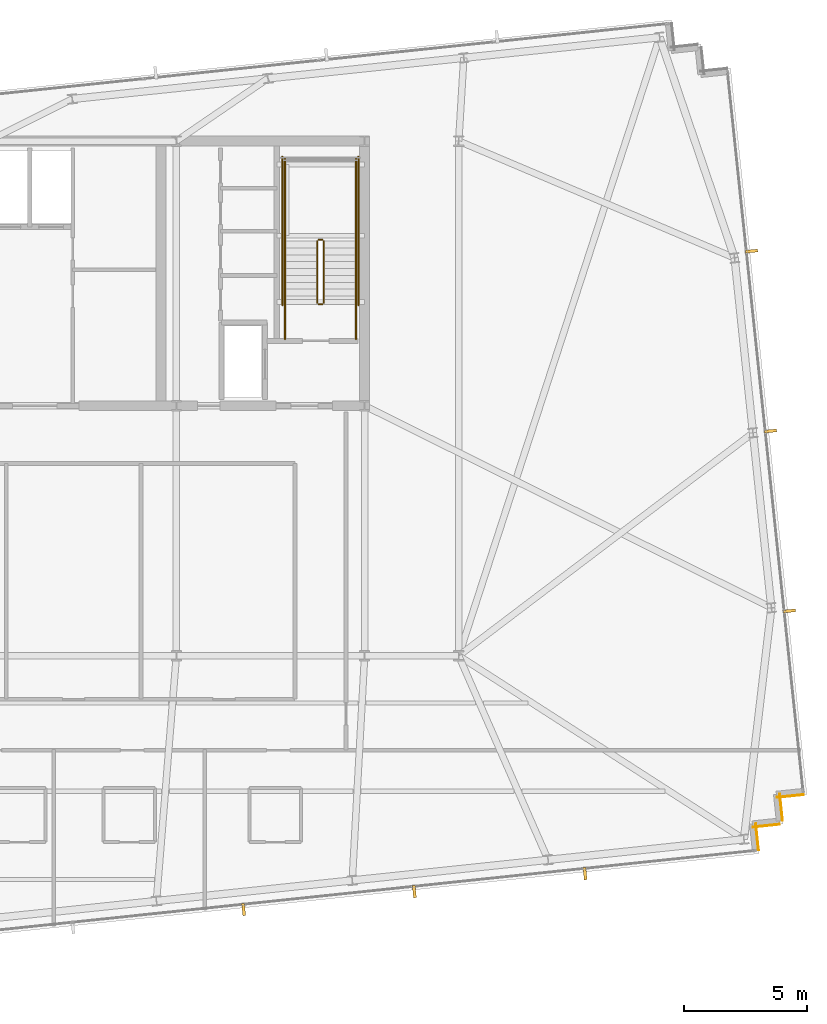
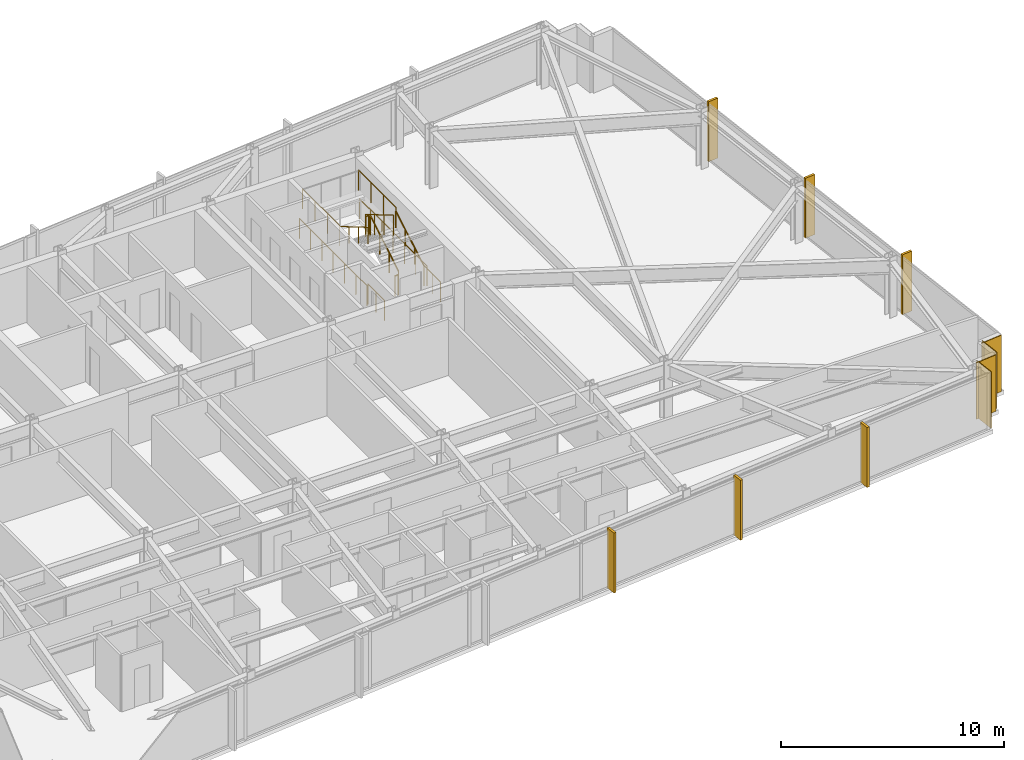
# One storey, part 32 of 33: 12 railings, 6 shading devices, 4 coverings.
"""IFC4 building model written with IfcOpenShell, lengths in metres."""

from ifc_helpers import new_model, si_unit, direction, frame, frame_2d, origin, origin_2d, place, context, subcontext, project, spatial, rectangle, circle, extrude, material, layer, layer_set, type_object, element, save


model = new_model("IFC4")

# Units and contexts
model_context = context("Model", 3, precision=1e-05, world=origin(), true_north=direction((0.0, 1.0)))
body_context = subcontext(model_context, "Body", "Model", "MODEL_VIEW")
ifc_project = project(units=[si_unit("LENGTHUNIT", "METRE"), si_unit("AREAUNIT", "SQUARE_METRE"), si_unit("VOLUMEUNIT", "CUBIC_METRE"), si_unit("PLANEANGLEUNIT", "RADIAN"), si_unit("MASSUNIT", "GRAM", prefix="KILO")], contexts=[model_context])

# Site, building, storey
site_placement = place(None, origin())
site = spatial("IfcSite", under=ifc_project, at=site_placement, CompositionType="ELEMENT")
building_placement = place(site_placement, origin())
building = spatial("IfcBuilding", under=site, at=building_placement, Name="Yelkora Congress Tower", CompositionType="ELEMENT")
storey_placement = place(building_placement, frame((0.0, 0.0, 234.199951171875)))
storey = spatial("IfcBuildingStorey", under=building, at=storey_placement, Name="L65", CompositionType="ELEMENT", Elevation=234.199951171875)

# Coverings
ifc_material_1 = material(Name="Anatolian bush-hammered limestone", Category="masonry")
ifc_layer_1 = layer(ifc_material_1, 0.0400390625)
ifc_layer_set_1 = layer_set([ifc_layer_1], Name="Anatolian bush-hammered limestone")
covering_type = type_object("IfcCoveringType", Name="COV-CLAD-SPANDREL-40", PredefinedType="CLADDING", material=ifc_layer_set_1)
for number, where, z_axis, x_axis, name in (
    (1, (71.668212890625, 19.535888671875, 0.0), (0.0, 0.0, 1.0), (-0.994544300928, -0.104315068386, 0.0), "L65 Anatolian Limestone Cladding EW-L65-SR16"),
    (2, (70.6943359375, 19.569580078125, 0.0), (0.0, 0.0, 1.0), (0.104534592565, -0.994521251134, 0.0), "L65 Anatolian Limestone Cladding EW-L65-SR17"),
    (3, (70.689208984375, 18.3271484375, 0.0), (0.0, 0.0, 1.0), (-0.994521251134, -0.104534592565, 0.0), "L65 Anatolian Limestone Cladding EW-L65-SR18"),
    (4, (69.71533203125, 18.360595703125, 0.0), (0.0, 0.0, 1.0), (0.104534592565, -0.994521251134, 0.0), "L65 Anatolian Limestone Cladding EW-L65-SR19"),
):
    element("IfcCovering", number, at=place(storey_placement, frame(where, z_axis=z_axis, x_axis=x_axis)), inside=storey, type_object=covering_type, Name=name, PredefinedType="CLADDING", context=body_context, shape_type="SweptSolid", body=[
        extrude(rectangle(XDim=1.10009765625, YDim=0.0400390625, at=frame_2d((0.550048828125, 0.0))), origin(), (0.0, 0.0, 1.0), 3.080078125),
    ])

# Railings
ifc_material_2 = material(Name="Painted galvanised steel stair well guard with vertical infill", Category="steel")
ifc_layer_2 = layer(ifc_material_2, 0.06005859375)
ifc_layer_set_2 = layer_set([ifc_layer_2], Name="Painted galvanised steel stair well guard with vertical infill")
railing_type_1 = type_object("IfcRailingType", Name="RAIL-STAIR-GUARD-1120", PredefinedType="GUARDRAIL", material=ifc_layer_set_2)
railing_1_placement = place(storey_placement, frame((52.090087890625, 39.60009765625, 0.1650390625)))
element("IfcRailing", 5, at=railing_1_placement, inside=storey, type_object=railing_type_1, Name="ST-02 L65 Stair Well Guardrail 1", PredefinedType="GUARDRAIL", context=body_context, shape_type="SweptSolid", body=[
    extrude(circle(Radius=0.02392578125, at=origin_2d()), frame((0.0, 0.0, 1.09619140625), z_axis=(0.0, 0.86152411907, 0.507716645641), x_axis=(-1.0, 0.0, 0.0)), (0.0, 0.0, 1.0), 2.925048828125),
    extrude(circle(Radius=0.02099609375, at=origin_2d()), origin(), (0.0, 0.0, 1.0), 1.072021484375),
    extrude(circle(Radius=0.02099609375, at=origin_2d()), frame((0.0, 0.840087890625, 0.4951171875)), (0.0, 0.0, 1.0), 1.072021484375),
    extrude(circle(Radius=0.02099609375, at=origin_2d()), frame((0.0, 1.679931640625, 0.989990234375)), (0.0, 0.0, 1.0), 1.072021484375),
    extrude(circle(Radius=0.02099609375, at=origin_2d()), frame((0.0, 2.52001953125, 1.485107421875)), (0.0, 0.0, 1.0), 1.072021484375),
])
railing_2_placement = place(storey_placement, frame((52.0400390625, 42.169921875, 1.650146484375)))
element("IfcRailing", 6, at=railing_2_placement, inside=storey, type_object=railing_type_1, Name="ST-02 L65 Stair Well Guardrail 2", PredefinedType="GUARDRAIL", context=body_context, shape_type="SweptSolid", body=[
    extrude(circle(Radius=0.02392578125, at=origin_2d()), frame((0.0, 0.0, 1.09619140625), z_axis=(-1.0, 0.0, 0.0), x_axis=(0.0, -1.0, 0.0)), (0.0, 0.0, 1.0), 0.16015625),
    extrude(circle(Radius=0.02099609375, at=origin_2d()), origin(), (0.0, 0.0, 1.0), 1.072021484375),
    extrude(circle(Radius=0.02099609375, at=origin_2d()), frame((-0.16015625, 0.0, 0.0)), (0.0, 0.0, 1.0), 1.072021484375),
])
for number, where, name in (
    (7, (53.409912109375, 42.1201171875, 1.650146484375), "ST-02 L65 Stair Well Guardrail 3"),
    (8, (50.510009765625, 42.1201171875, 1.650146484375), "ST-02 L65 Stair Well Guardrail 4"),
):
    element("IfcRailing", number, at=place(storey_placement, frame(where)), inside=storey, type_object=railing_type_1, Name=name, PredefinedType="GUARDRAIL", context=body_context, shape_type="SweptSolid", body=[
        extrude(circle(Radius=0.02392578125, at=origin_2d()), frame((0.0, 0.0, 1.09619140625), z_axis=(0.0, 1.0, 0.0), x_axis=(-1.0, 0.0, 0.0)), (0.0, 0.0, 1.0), 3.349853515625),
        extrude(circle(Radius=0.02099609375, at=origin_2d()), origin(), (0.0, 0.0, 1.0), 1.072021484375),
        extrude(circle(Radius=0.02099609375, at=origin_2d()), frame((0.0, 1.11669921875, 0.0)), (0.0, 0.0, 1.0), 1.072021484375),
        extrude(circle(Radius=0.02099609375, at=origin_2d()), frame((0.0, 2.233154296875, 0.0)), (0.0, 0.0, 1.0), 1.072021484375),
        extrude(circle(Radius=0.02099609375, at=origin_2d()), frame((0.0, 3.349853515625, 0.0)), (0.0, 0.0, 1.0), 1.072021484375),
    ])
railing_3_placement = place(storey_placement, frame((51.830078125, 42.1201171875, 1.81494140625)))
element("IfcRailing", 9, at=railing_3_placement, inside=storey, type_object=railing_type_1, Name="ST-02 L65 Stair Well Guardrail 6", PredefinedType="GUARDRAIL", context=body_context, shape_type="SweptSolid", body=[
    extrude(circle(Radius=0.02392578125, at=origin_2d()), frame((0.0, 0.0, 1.09619140625), z_axis=(0.0, -0.86152411907, 0.507716645641), x_axis=(1.0, 0.0, 0.0)), (0.0, 0.0, 1.0), 2.925048828125),
    extrude(circle(Radius=0.02099609375, at=origin_2d()), origin(), (0.0, 0.0, 1.0), 1.072021484375),
    extrude(circle(Radius=0.02099609375, at=origin_2d()), frame((0.0, -0.840087890625, 0.4951171875)), (0.0, 0.0, 1.0), 1.072021484375),
    extrude(circle(Radius=0.02099609375, at=origin_2d()), frame((0.0, -1.679931640625, 0.989990234375)), (0.0, 0.0, 1.0), 1.072021484375),
    extrude(circle(Radius=0.02099609375, at=origin_2d()), frame((0.0, -2.52001953125, 1.485107421875)), (0.0, 0.0, 1.0), 1.072021484375),
])
railing_4_placement = place(storey_placement, frame((52.0400390625, 39.550048828125, 0.0)))
element("IfcRailing", 10, at=railing_4_placement, inside=storey, type_object=railing_type_1, Name="ST-02 L65 Stair Well Guardrail 7", PredefinedType="GUARDRAIL", context=body_context, shape_type="SweptSolid", body=[
    extrude(circle(Radius=0.02392578125, at=origin_2d()), frame((0.0, 0.0, 1.09619140625), z_axis=(-1.0, 0.0, 0.0), x_axis=(0.0, -1.0, 0.0)), (0.0, 0.0, 1.0), 0.16015625),
    extrude(circle(Radius=0.02099609375, at=origin_2d()), origin(), (0.0, 0.0, 1.0), 1.072021484375),
    extrude(circle(Radius=0.02099609375, at=origin_2d()), frame((-0.16015625, 0.0, 0.0)), (0.0, 0.0, 1.0), 1.072021484375),
])
for number, where, name in (
    (11, (53.409912109375, 38.1201171875, 0.0), "ST-02 L65 Stair Well Guardrail 8"),
    (12, (50.510009765625, 38.1201171875, 0.0), "ST-02 L65 Stair Well Guardrail 9"),
):
    element("IfcRailing", number, at=place(storey_placement, frame(where)), inside=storey, type_object=railing_type_1, Name=name, PredefinedType="GUARDRAIL", context=body_context, shape_type="SweptSolid", body=[
        extrude(circle(Radius=0.02392578125, at=origin_2d()), frame((0.0, 0.0, 1.09619140625), z_axis=(0.0, 1.0, 0.0), x_axis=(-1.0, 0.0, 0.0)), (0.0, 0.0, 1.0), 1.47998046875),
        extrude(circle(Radius=0.02099609375, at=origin_2d()), origin(), (0.0, 0.0, 1.0), 1.072021484375),
        extrude(circle(Radius=0.02099609375, at=origin_2d()), frame((0.0, 0.739990234375, 0.0)), (0.0, 0.0, 1.0), 1.072021484375),
        extrude(circle(Radius=0.02099609375, at=origin_2d()), frame((0.0, 1.47998046875, 0.0)), (0.0, 0.0, 1.0), 1.072021484375),
    ])
for number, where, name in (
    (13, (53.510009765625, 39.5, 0.0), "ST-02 L65 Stair Well Guardrail 10"),
    (14, (50.409912109375, 39.5, 0.0), "ST-02 L65 Stair Well Guardrail 11"),
):
    element("IfcRailing", number, at=place(storey_placement, frame(where)), inside=storey, type_object=railing_type_1, Name=name, PredefinedType="GUARDRAIL", context=body_context, shape_type="SweptSolid", body=[
        extrude(circle(Radius=0.02392578125, at=origin_2d()), frame((0.0, 0.0, 1.09619140625), z_axis=(0.0, 1.0, 0.0), x_axis=(-1.0, 0.0, 0.0)), (0.0, 0.0, 1.0), 6.070068359375),
        extrude(circle(Radius=0.02099609375, at=origin_2d()), origin(), (0.0, 0.0, 1.0), 1.072021484375),
        extrude(circle(Radius=0.02099609375, at=origin_2d()), frame((0.0, 1.01171875, 0.0)), (0.0, 0.0, 1.0), 1.072021484375),
        extrude(circle(Radius=0.02099609375, at=origin_2d()), frame((0.0, 2.0234375, 0.0)), (0.0, 0.0, 1.0), 1.072021484375),
        extrude(circle(Radius=0.02099609375, at=origin_2d()), frame((0.0, 3.03515625, 0.0)), (0.0, 0.0, 1.0), 1.072021484375),
        extrude(circle(Radius=0.02099609375, at=origin_2d()), frame((0.0, 4.046630859375, 0.0)), (0.0, 0.0, 1.0), 1.072021484375),
        extrude(circle(Radius=0.02099609375, at=origin_2d()), frame((0.0, 5.058349609375, 0.0)), (0.0, 0.0, 1.0), 1.072021484375),
        extrude(circle(Radius=0.02099609375, at=origin_2d()), frame((0.0, 6.070068359375, 0.0)), (0.0, 0.0, 1.0), 1.072021484375),
    ])
ifc_material_3 = material(Name="Brushed stainless steel tubular handrail", Category="steel")
ifc_layer_3 = layer(ifc_material_3, 0.050048828125)
ifc_layer_set_3 = layer_set([ifc_layer_3], Name="Brushed stainless steel tubular handrail")
railing_type_2 = type_object("IfcRailingType", Name="RAIL-STAIR-HAND-920", PredefinedType="HANDRAIL", material=ifc_layer_set_3)
railing_5_placement = place(storey_placement, frame((53.409912109375, 39.60009765625, 0.1650390625)))
element("IfcRailing", 15, at=railing_5_placement, inside=storey, type_object=railing_type_2, Name="ST-02 L65 Pitch Handrail 1", PredefinedType="HANDRAIL", context=body_context, shape_type="SweptSolid", body=[
    extrude(circle(Radius=0.02392578125, at=origin_2d()), frame((0.0, 0.0, 0.89599609375), z_axis=(0.0, 0.86152411907, 0.507716645641), x_axis=(-1.0, 0.0, 0.0)), (0.0, 0.0, 1.0), 2.925048828125),
    extrude(circle(Radius=0.02099609375, at=origin_2d()), origin(), (0.0, 0.0, 1.0), 0.871826171875),
    extrude(circle(Radius=0.02099609375, at=origin_2d()), frame((0.0, 0.840087890625, 0.4951171875)), (0.0, 0.0, 1.0), 0.871826171875),
    extrude(circle(Radius=0.02099609375, at=origin_2d()), frame((0.0, 1.679931640625, 0.989990234375)), (0.0, 0.0, 1.0), 0.871826171875),
    extrude(circle(Radius=0.02099609375, at=origin_2d()), frame((0.0, 2.52001953125, 1.485107421875)), (0.0, 0.0, 1.0), 0.871826171875),
])
railing_6_placement = place(storey_placement, frame((50.510009765625, 42.1201171875, 1.81494140625)))
element("IfcRailing", 16, at=railing_6_placement, inside=storey, type_object=railing_type_2, Name="ST-02 L65 Pitch Handrail 2", PredefinedType="HANDRAIL", context=body_context, shape_type="SweptSolid", body=[
    extrude(circle(Radius=0.02392578125, at=origin_2d()), frame((0.0, 0.0, 0.89599609375), z_axis=(0.0, -0.86152411907, 0.507716645641), x_axis=(1.0, 0.0, 0.0)), (0.0, 0.0, 1.0), 2.925048828125),
    extrude(circle(Radius=0.02099609375, at=origin_2d()), origin(), (0.0, 0.0, 1.0), 0.871826171875),
    extrude(circle(Radius=0.02099609375, at=origin_2d()), frame((0.0, -0.840087890625, 0.4951171875)), (0.0, 0.0, 1.0), 0.871826171875),
    extrude(circle(Radius=0.02099609375, at=origin_2d()), frame((0.0, -1.679931640625, 0.989990234375)), (0.0, 0.0, 1.0), 0.871826171875),
    extrude(circle(Radius=0.02099609375, at=origin_2d()), frame((0.0, -2.52001953125, 1.485107421875)), (0.0, 0.0, 1.0), 0.871826171875),
])

# Shading devices
ifc_material_4 = material(Name="Champagne anodised aluminium", Category="aluminium")
ifc_layer_4 = layer(ifc_material_4, 3.300048828125)
ifc_layer_set_4 = layer_set([ifc_layer_4], Name="Champagne anodised aluminium")
shading_device_type = type_object("IfcShadingDeviceType", Name="SHD-FIN-ALU-520", PredefinedType="USERDEFINED", material=ifc_layer_set_4)
for number, where, z_axis, x_axis, name in (
    (17, (69.538818359375, 41.7099609375, -0.02978515625), (0.0, 0.0, 1.0), (0.104528463268, -0.994521895368, 0.0), "L65 Vertical Anodised Solar Fin 15-1"),
    (18, (70.31005859375, 34.370361328125, -0.02978515625), (0.0, 0.0, 1.0), (0.104528463268, -0.994521895368, 0.0), "L65 Vertical Anodised Solar Fin 15-2"),
    (19, (71.08154296875, 27.03076171875, -0.02978515625), (0.0, 0.0, 1.0), (0.104528463268, -0.994521895368, 0.0), "L65 Vertical Anodised Solar Fin 15-3"),
    (20, (62.75244140625, 16.321533203125, -0.02978515625), (0.0, 0.0, 1.0), (-0.994521895368, -0.104528463268, 0.0), "L65 Vertical Anodised Solar Fin 20-1"),
    (21, (55.7880859375, 15.589599609375, -0.02978515625), (0.0, 0.0, 1.0), (-0.994521895368, -0.104528463268, 0.0), "L65 Vertical Anodised Solar Fin 20-2"),
    (22, (48.823486328125, 14.857421875, -0.02978515625), (0.0, 0.0, 1.0), (-0.994521895368, -0.104528463268, 0.0), "L65 Vertical Anodised Solar Fin 20-3"),
):
    element("IfcShadingDevice", number, at=place(storey_placement, frame(where, z_axis=z_axis, x_axis=x_axis)), inside=storey, type_object=shading_device_type, Name=name, ObjectType="FIN", PredefinedType="USERDEFINED", context=body_context, shape_type="SweptSolid", body=[
        extrude(rectangle(XDim=0.1201171875, YDim=0.52001953125, at=origin_2d()), origin(), (0.0, 0.0, 1.0), 3.280029296875),
    ])

save(model, "model.ifc")
